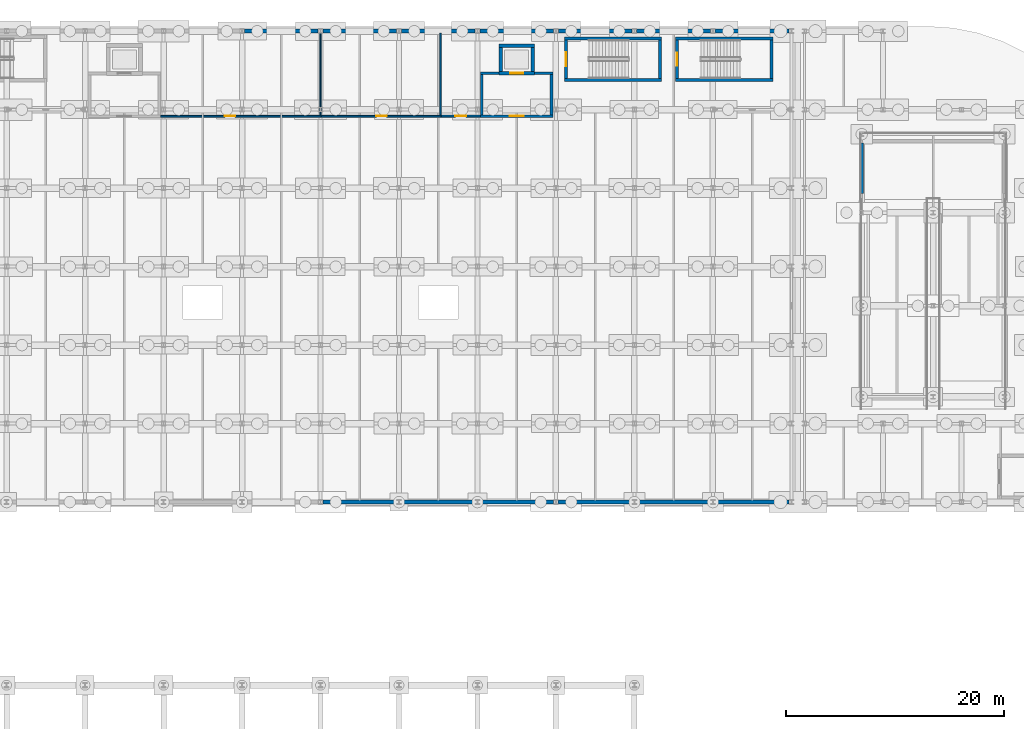
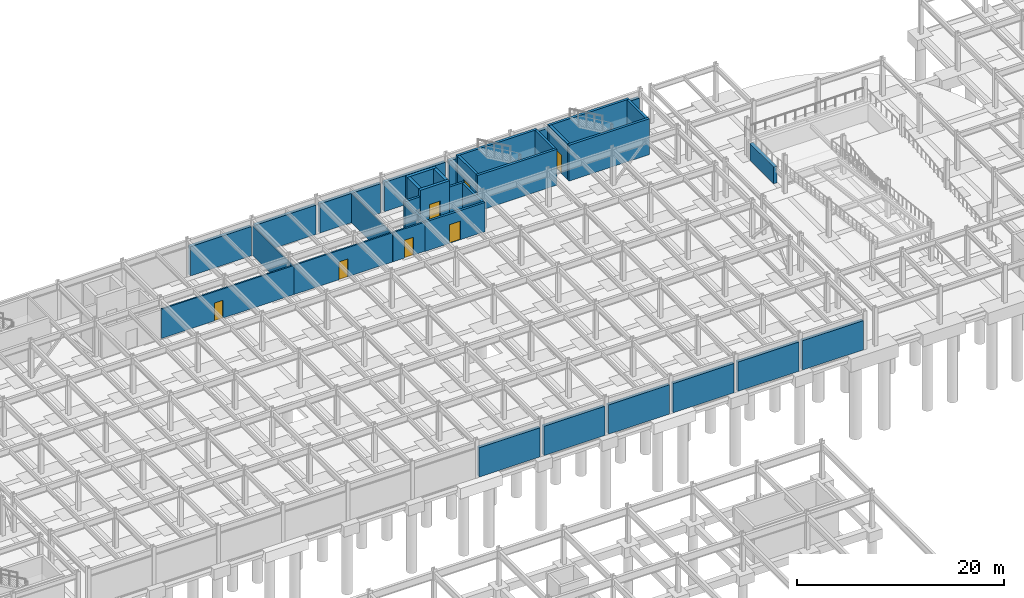
# One storey, part 44 of 54: 36 walls, 7 doors, 7 openings.
"""IFC4 building model written with IfcOpenShell, lengths in metres."""

from ifc_helpers import new_model, si_unit, direction, frame, frame_2d, origin, place, context, subcontext, project, spatial, rectangle, extrude, material, layer, layer_set, type_object, element, fill, save


model = new_model("IFC4")

# Units and contexts
model_context = context("Model", 3, precision=1e-05, world=origin(), true_north=direction((0.0, 1.0)))
body_context = subcontext(model_context, "Body", "Model", "MODEL_VIEW")
ifc_project = project(units=[si_unit("LENGTHUNIT", "METRE"), si_unit("AREAUNIT", "SQUARE_METRE"), si_unit("VOLUMEUNIT", "CUBIC_METRE"), si_unit("PLANEANGLEUNIT", "RADIAN"), si_unit("MASSUNIT", "GRAM", prefix="KILO")], contexts=[model_context])

# Site, building, storey
site_placement = place(None, origin())
site = spatial("IfcSite", under=ifc_project, at=site_placement, CompositionType="ELEMENT")
building_placement = place(site_placement, origin())
building = spatial("IfcBuilding", under=site, at=building_placement, Name="Vaelcorin Mobility Hub", CompositionType="ELEMENT")
storey_placement = place(building_placement, frame((0.0, 0.0, -4.5)))
storey = spatial("IfcBuildingStorey", under=building, at=storey_placement, Name="B1", CompositionType="ELEMENT", Elevation=-4.5)

# Walls
ifc_material_1 = material(Name="Insulated exterior precast concrete C40/50", Category="concrete")
ifc_layer_1 = layer(ifc_material_1, 0.360107421875)
ifc_layer_set_1 = layer_set([ifc_layer_1], Name="Insulated exterior precast concrete C40/50")
wall_type_1 = type_object("IfcWallType", Name="WL-B1-RET360", PredefinedType="SOLIDWALL", material=ifc_layer_set_1)
for number, where, z_axis, x_axis, name in (
    (1, (72.208984375, 120.0, 0.0), (0.0, 0.0, 1.0), (1.0, 0.0, 0.0), "B1 Retaining Wall B1-RET-V4N-06"),
    (2, (79.408935546875, 120.0, 0.0), (0.0, 0.0, 1.0), (1.0, 0.0, 0.0), "B1 Retaining Wall B1-RET-V4N-07"),
    (3, (86.19091796875, 76.800048828125, 0.0), (0.0, 0.0, 1.0), (-1.0, 0.0, 0.0), "B1 Retaining Wall B1-RET-V4S-07"),
):
    element("IfcWall", number, at=place(storey_placement, frame(where, z_axis=z_axis, x_axis=x_axis)), inside=storey, type_object=wall_type_1, Name=name, PredefinedType="SOLIDWALL", context=body_context, shape_type="SweptSolid", body=[
        extrude(rectangle(XDim=6.781982421875, YDim=0.360107421875, at=frame_2d((3.39111328125, 0.0))), origin(), (0.0, 0.0, 1.0), 3.447998046875),
    ])
for number, where, z_axis, x_axis, name in (
    (4, (86.60888671875, 120.0, 0.0), (0.0, 0.0, 1.0), (1.0, 0.0, 0.0), "B1 Retaining Wall B1-RET-V4N-08"),
    (5, (93.39111328125, 76.800048828125, 0.0), (0.0, 0.0, 1.0), (-1.0, 0.0, 0.0), "B1 Retaining Wall B1-RET-V4S-08"),
):
    element("IfcWall", number, at=place(storey_placement, frame(where, z_axis=z_axis, x_axis=x_axis)), inside=storey, type_object=wall_type_1, Name=name, PredefinedType="SOLIDWALL", context=body_context, shape_type="SweptSolid", body=[
        extrude(rectangle(XDim=6.7822265625, YDim=0.360107421875, at=frame_2d((3.39111328125, 0.0))), origin(), (0.0, 0.0, 1.0), 3.447998046875),
    ])
for number, where, z_axis, x_axis, name in (
    (6, (93.80908203125, 120.0, 0.0), (0.0, 0.0, 1.0), (1.0, 0.0, 0.0), "B1 Retaining Wall B1-RET-V4N-09"),
    (7, (100.591064453125, 76.800048828125, 0.0), (0.0, 0.0, 1.0), (-1.0, 0.0, 0.0), "B1 Retaining Wall B1-RET-V4S-09"),
    (8, (101.009033203125, 120.0, 0.0), (0.0, 0.0, 1.0), (1.0, 0.0, 0.0), "B1 Retaining Wall B1-RET-V4N-10"),
    (9, (107.791015625, 76.800048828125, 0.0), (0.0, 0.0, 1.0), (-1.0, 0.0, 0.0), "B1 Retaining Wall B1-RET-V4S-10"),
    (10, (108.208984375, 120.0, 0.0), (0.0, 0.0, 1.0), (1.0, 0.0, 0.0), "B1 Retaining Wall B1-RET-V4N-11"),
    (11, (114.990966796875, 76.800048828125, 0.0), (0.0, 0.0, 1.0), (-1.0, 0.0, 0.0), "B1 Retaining Wall B1-RET-V4S-11"),
    (12, (115.408935546875, 120.0, 0.0), (0.0, 0.0, 1.0), (1.0, 0.0, 0.0), "B1 Retaining Wall B1-RET-V4N-12"),
    (13, (122.19091796875, 76.800048828125, 0.0), (0.0, 0.0, 1.0), (-1.0, 0.0, 0.0), "B1 Retaining Wall B1-RET-V4S-12"),
):
    element("IfcWall", number, at=place(storey_placement, frame(where, z_axis=z_axis, x_axis=x_axis)), inside=storey, type_object=wall_type_1, Name=name, PredefinedType="SOLIDWALL", context=body_context, shape_type="SweptSolid", body=[
        extrude(rectangle(XDim=6.781982421875, YDim=0.360107421875, at=frame_2d((3.39111328125, 0.0))), origin(), (0.0, 0.0, 1.0), 3.447998046875),
    ])
ifc_material_2 = material(Name="Reinforced concrete f'c 45 MPa", Category="concrete")
ifc_layer_2 = layer(ifc_material_2, 0.27490234375)
ifc_layer_set_2 = layer_set([ifc_layer_2], Name="Reinforced concrete f'c 45 MPa")
wall_type_2 = type_object("IfcWallType", Name="WL-CORE-275", PredefinedType="SOLIDWALL", material=ifc_layer_set_2)
for number, where, z_axis, x_axis, name in (
    (14, (110.47509765625, 115.511962890625, 0.0), (0.0, 0.0, 1.0), (-1.0, 0.0, 0.0), "ST4 Fire Core Wall B1 South"),
    (15, (101.574951171875, 119.347900390625, 0.0), (0.0, 0.0, 1.0), (1.0, 0.0, 0.0), "ST4 Fire Core Wall B1 North"),
):
    element("IfcWall", number, at=place(storey_placement, frame(where, z_axis=z_axis, x_axis=x_axis)), inside=storey, type_object=wall_type_2, Name=name, PredefinedType="SOLIDWALL", context=body_context, shape_type="SweptSolid", body=[
        extrude(rectangle(XDim=8.900146484375, YDim=0.27490234375, at=frame_2d((4.4501953125, 0.0))), origin(), (0.0, 0.0, 1.0), 4.219970703125),
    ])

# Wall, opening, door
wall_1_placement = place(storey_placement, frame((101.7119140625, 115.64990234375, 0.0), z_axis=(0.0, 0.0, 1.0), x_axis=(0.0, 1.0, 0.0)))
wall_1 = element("IfcWall", 16, at=wall_1_placement, inside=storey, type_object=wall_type_2, Name="ST4 Fire Core Wall B1 West", PredefinedType="SOLIDWALL", context=body_context, shape_type="SweptSolid", body=[
    extrude(rectangle(XDim=3.56005859375, YDim=0.27490234375, at=frame_2d((1.780029296875, 0.0))), origin(), (0.0, 0.0, 1.0), 4.219970703125),
])
opening_1_placement = place(wall_1_placement, frame((1.155029296875, 0.0, 0.0)))
opening_1 = element("IfcOpeningElement", 17, at=opening_1_placement, cuts=wall_1, Name="Opening SD02", PredefinedType="OPENING", context=body_context, shape_type="SweptSolid", body=[
    extrude(rectangle(XDim=1.25, YDim=2.199951171875, at=frame_2d((0.625, 1.10009765625))), frame((0.0, 0.1474609375, 0.0), z_axis=(0.0, -1.0, 0.0), x_axis=(1.0, 0.0, 0.0)), (0.0, 0.0, 1.0), 0.294921875),
])
ifc_material_3 = material(Name="Hollow-metal insulated steel fire door", Category="steel")
door_type_1 = type_object("IfcDoorType", Name="DR-STAIR-FF", OperationType="NOTDEFINED", PredefinedType="DOOR", material=ifc_material_3)
door_1_placement = place(opening_1_placement, origin())
door_1 = element("IfcDoor", 18, at=door_1_placement, inside=storey, type_object=door_type_1, Name="ST4 Protected Stair Door B1", OperationType="SINGLE_SWING_LEFT", OverallHeight=2.199951171875, OverallWidth=1.25, PredefinedType="DOOR", context=body_context, shape_type="SweptSolid", body=[
    extrude(rectangle(XDim=1.25, YDim=2.199951171875, at=frame_2d((0.625, 1.10009765625))), frame((0.0, 0.02490234375, 0.0), z_axis=(0.0, -1.0, 0.0), x_axis=(1.0, 0.0, 0.0)), (0.0, 0.0, 1.0), 0.050048828125),
])
fill(opening_1, door_1)

# Walls
wall_2_placement = place(storey_placement, frame((110.337890625, 119.2099609375, 0.0), z_axis=(0.0, 0.0, 1.0), x_axis=(0.0, -1.0, 0.0)))
element("IfcWall", 19, at=wall_2_placement, inside=storey, type_object=wall_type_2, Name="ST4 Fire Core Wall B1 East", PredefinedType="SOLIDWALL", context=body_context, shape_type="SweptSolid", body=[
    extrude(rectangle(XDim=3.56005859375, YDim=0.27490234375, at=frame_2d((1.780029296875, 0.0))), origin(), (0.0, 0.0, 1.0), 4.219970703125),
])
for number, where, z_axis, x_axis, name in (
    (20, (120.72509765625, 115.511962890625, 0.0), (0.0, 0.0, 1.0), (-1.0, 0.0, 0.0), "ST9 Fire Core Wall B1 South"),
    (21, (111.77490234375, 119.347900390625, 0.0), (0.0, 0.0, 1.0), (1.0, 0.0, 0.0), "ST9 Fire Core Wall B1 North"),
):
    element("IfcWall", number, at=place(storey_placement, frame(where, z_axis=z_axis, x_axis=x_axis)), inside=storey, type_object=wall_type_2, Name=name, PredefinedType="SOLIDWALL", context=body_context, shape_type="SweptSolid", body=[
        extrude(rectangle(XDim=8.9501953125, YDim=0.27490234375, at=frame_2d((4.47509765625, 0.0))), origin(), (0.0, 0.0, 1.0), 4.219970703125),
    ])

# Wall, opening, door
wall_3_placement = place(storey_placement, frame((111.912109375, 115.64990234375, 0.0), z_axis=(0.0, 0.0, 1.0), x_axis=(0.0, 1.0, 0.0)))
wall_3 = element("IfcWall", 22, at=wall_3_placement, inside=storey, type_object=wall_type_2, Name="ST9 Fire Core Wall B1 West", PredefinedType="SOLIDWALL", context=body_context, shape_type="SweptSolid", body=[
    extrude(rectangle(XDim=3.56005859375, YDim=0.27490234375, at=frame_2d((1.780029296875, 0.0))), origin(), (0.0, 0.0, 1.0), 4.219970703125),
])
opening_2_placement = place(wall_3_placement, frame((1.179931640625, 0.0, 0.0)))
opening_2 = element("IfcOpeningElement", 23, at=opening_2_placement, cuts=wall_3, Name="Opening SD01", PredefinedType="OPENING", context=body_context, shape_type="SweptSolid", body=[
    extrude(rectangle(XDim=1.199951171875, YDim=2.199951171875, at=frame_2d((0.60009765625, 1.10009765625))), frame((0.0, 0.1474609375, 0.0), z_axis=(0.0, -1.0, 0.0), x_axis=(1.0, 0.0, 0.0)), (0.0, 0.0, 1.0), 0.294921875),
])
door_type_2 = type_object("IfcDoorType", Name="DR-STAIR-90", OperationType="NOTDEFINED", PredefinedType="DOOR", material=ifc_material_3)
door_2_placement = place(opening_2_placement, origin())
door_2 = element("IfcDoor", 24, at=door_2_placement, inside=storey, type_object=door_type_2, Name="ST9 Protected Stair Door B1", OperationType="SINGLE_SWING_LEFT", OverallHeight=2.199951171875, OverallWidth=1.199951171875, PredefinedType="DOOR", context=body_context, shape_type="SweptSolid", body=[
    extrude(rectangle(XDim=1.199951171875, YDim=2.199951171875, at=frame_2d((0.60009765625, 1.10009765625))), frame((0.0, 0.02490234375, 0.0), z_axis=(0.0, -1.0, 0.0), x_axis=(1.0, 0.0, 0.0)), (0.0, 0.0, 1.0), 0.050048828125),
])
fill(opening_2, door_2)

# Walls
wall_4_placement = place(storey_placement, frame((120.587890625, 119.2099609375, 0.0), z_axis=(0.0, 0.0, 1.0), x_axis=(0.0, -1.0, 0.0)))
element("IfcWall", 25, at=wall_4_placement, inside=storey, type_object=wall_type_2, Name="ST9 Fire Core Wall B1 East", PredefinedType="SOLIDWALL", context=body_context, shape_type="SweptSolid", body=[
    extrude(rectangle(XDim=3.56005859375, YDim=0.27490234375, at=frame_2d((1.780029296875, 0.0))), origin(), (0.0, 0.0, 1.0), 4.219970703125),
])
ifc_material_4 = material(Name="Fire-rated acoustic steel-stud gypsum board", Category="steel")
ifc_layer_3 = layer(ifc_material_4, 0.1298828125)
ifc_layer_set_3 = layer_set([ifc_layer_3], Name="Fire-rated acoustic steel-stud gypsum board")
wall_type_3 = type_object("IfcWallType", Name="WL-PART-130", PredefinedType="PARTITIONING", material=ifc_layer_set_3)
wall_5_placement = place(storey_placement, frame((79.199951171875, 119.818115234375, 0.0), z_axis=(0.0, 0.0, 1.0), x_axis=(0.0, -1.0, 0.0)))
element("IfcWall", 26, at=wall_5_placement, inside=storey, type_object=wall_type_3, Name="Primary Traction Substation B1 Partition East", PredefinedType="PARTITIONING", context=body_context, shape_type="SweptSolid", body=[
    extrude(rectangle(XDim=7.531005859375, YDim=0.1298828125, at=frame_2d((3.765625, 0.0))), origin(), (0.0, 0.0, 1.0), 3.443115234375),
])
ifc_layer_4 = layer(ifc_material_4, 0.135009765625)
ifc_layer_set_4 = layer_set([ifc_layer_4], Name="Fire-rated acoustic steel-stud gypsum board")
wall_type_4 = type_object("IfcWallType", Name="WL-PART-135", PredefinedType="PARTITIONING", material=ifc_layer_set_4)
wall_6_placement = place(storey_placement, frame((90.199951171875, 119.818115234375, 0.0), z_axis=(0.0, 0.0, 1.0), x_axis=(0.0, -1.0, 0.0)))
element("IfcWall", 27, at=wall_6_placement, inside=storey, type_object=wall_type_4, Name="Fire Pump and Sprinkler Room Partition East", PredefinedType="PARTITIONING", context=body_context, shape_type="SweptSolid", body=[
    extrude(rectangle(XDim=7.527099609375, YDim=0.135009765625, at=frame_2d((3.763671875, 0.0))), origin(), (0.0, 0.0, 1.0), 3.443115234375),
])

# Wall, opening, door
ifc_layer_5 = layer(ifc_material_4, 0.1650390625)
ifc_layer_set_5 = layer_set([ifc_layer_5], Name="Fire-rated acoustic steel-stud gypsum board")
wall_type_5 = type_object("IfcWallType", Name="WL-PART-165", PredefinedType="PARTITIONING", material=ifc_layer_set_5)
wall_7_placement = place(storey_placement, frame((79.280029296875, 112.199951171875, 0.0), z_axis=(0.0, 0.0, 1.0), x_axis=(-1.0, 0.0, 0.0)))
wall_7 = element("IfcWall", 28, at=wall_7_placement, inside=storey, type_object=wall_type_5, Name="Primary Traction Substation B1 Partition South", PredefinedType="PARTITIONING", context=body_context, shape_type="SweptSolid", body=[
    extrude(rectangle(XDim=14.7529296875, YDim=0.1650390625, at=frame_2d((7.37646484375, 0.0))), origin(), (0.0, 0.0, 1.0), 3.443115234375),
])
opening_3_placement = place(wall_7_placement, frame((7.906005859375, 0.0, 0.0)))
opening_3 = element("IfcOpeningElement", 29, at=opening_3_placement, cuts=wall_7, Name="Opening ID02", PredefinedType="OPENING", context=body_context, shape_type="SweptSolid", body=[
    extrude(rectangle(XDim=0.93994140625, YDim=2.10009765625, at=frame_2d((0.469970703125, 1.050048828125))), frame((0.0, 0.092529296875, 0.0), z_axis=(0.0, -1.0, 0.0), x_axis=(1.0, 0.0, 0.0)), (0.0, 0.0, 1.0), 0.18505859375),
])
ifc_material_5 = material(Name="Solid-core hardwood fire door assembly", Category="wood")
door_type_3 = type_object("IfcDoorType", Name="DR-INT-02", OperationType="NOTDEFINED", PredefinedType="DOOR", material=ifc_material_5)
door_3_placement = place(opening_3_placement, origin())
door_3 = element("IfcDoor", 30, at=door_3_placement, inside=storey, type_object=door_type_3, Name="Primary Traction Substation B1 Door", OperationType="SINGLE_SWING_RIGHT", OverallHeight=2.10009765625, OverallWidth=0.93994140625, PredefinedType="DOOR", context=body_context, shape_type="SweptSolid", body=[
    extrude(rectangle(XDim=0.93994140625, YDim=2.10009765625, at=frame_2d((0.469970703125, 1.050048828125))), frame((0.0, 0.02490234375, 0.0), z_axis=(0.0, -1.0, 0.0), x_axis=(1.0, 0.0, 0.0)), (0.0, 0.0, 1.0), 0.050048828125),
])
fill(opening_3, door_3)

ifc_layer_6 = layer(ifc_material_4, 0.169921875)
ifc_layer_set_6 = layer_set([ifc_layer_6], Name="Fire-rated acoustic steel-stud gypsum board")
wall_type_6 = type_object("IfcWallType", Name="WL-PART-170", PredefinedType="PARTITIONING", material=ifc_layer_set_6)
wall_8_placement = place(storey_placement, frame((90.280029296875, 112.199951171875, 0.0), z_axis=(0.0, 0.0, 1.0), x_axis=(-1.0, 0.0, 0.0)))
wall_8 = element("IfcWall", 31, at=wall_8_placement, inside=storey, type_object=wall_type_6, Name="Fire Pump and Sprinkler Room Partition South", PredefinedType="PARTITIONING", context=body_context, shape_type="SweptSolid", body=[
    extrude(rectangle(XDim=10.998046875, YDim=0.169921875, at=frame_2d((5.4990234375, 0.0))), origin(), (0.0, 0.0, 1.0), 3.443115234375),
])
opening_4_placement = place(wall_8_placement, frame((5.009033203125, 0.0, 0.0)))
opening_4 = element("IfcOpeningElement", 32, at=opening_4_placement, cuts=wall_8, Name="Opening ID03", PredefinedType="OPENING", context=body_context, shape_type="SweptSolid", body=[
    extrude(rectangle(XDim=0.97998046875, YDim=2.10009765625, at=frame_2d((0.489990234375, 1.050048828125))), frame((0.0, 0.094970703125, 0.0), z_axis=(0.0, -1.0, 0.0), x_axis=(1.0, 0.0, 0.0)), (0.0, 0.0, 1.0), 0.18994140625),
])
door_type_4 = type_object("IfcDoorType", Name="DR-INT-03", OperationType="NOTDEFINED", PredefinedType="DOOR", material=ifc_material_5)
door_4_placement = place(opening_4_placement, origin())
door_4 = element("IfcDoor", 33, at=door_4_placement, inside=storey, type_object=door_type_4, Name="Fire Pump and Sprinkler Room Door", OperationType="SINGLE_SWING_LEFT", OverallHeight=2.10009765625, OverallWidth=0.97998046875, PredefinedType="DOOR", context=body_context, shape_type="SweptSolid", body=[
    extrude(rectangle(XDim=0.97998046875, YDim=2.10009765625, at=frame_2d((0.489990234375, 1.050048828125))), frame((0.0, 0.02490234375, 0.0), z_axis=(0.0, -1.0, 0.0), x_axis=(1.0, 0.0, 0.0)), (0.0, 0.0, 1.0), 0.050048828125),
])
fill(opening_4, door_4)

ifc_layer_7 = layer(ifc_material_4, 0.177978515625)
ifc_layer_set_7 = layer_set([ifc_layer_7], Name="Fire-rated acoustic steel-stud gypsum board")
wall_type_7 = type_object("IfcWallType", Name="WL-PART-178", PredefinedType="PARTITIONING", material=ifc_layer_set_7)
wall_9_placement = place(storey_placement, frame((93.873046875, 112.199951171875, 0.0), z_axis=(0.0, 0.0, 1.0), x_axis=(-1.0, 0.0, 0.0)))
wall_9 = element("IfcWall", 34, at=wall_9_placement, inside=storey, type_object=wall_type_7, Name="Accessible WC B1 Partition South", PredefinedType="PARTITIONING", context=body_context, shape_type="SweptSolid", body=[
    extrude(rectangle(XDim=3.591064453125, YDim=0.177978515625, at=frame_2d((1.79541015625, 0.0))), origin(), (0.0, 0.0, 1.0), 3.443115234375),
])
opening_5_placement = place(wall_9_placement, frame((1.285888671875, 0.0, 0.0)))
opening_5 = element("IfcOpeningElement", 35, at=opening_5_placement, cuts=wall_9, Name="Opening ID04", PredefinedType="OPENING", context=body_context, shape_type="SweptSolid", body=[
    extrude(rectangle(XDim=1.02001953125, YDim=2.10009765625, at=frame_2d((0.510009765625, 1.050048828125))), frame((0.0, 0.098876953125, 0.0), z_axis=(0.0, -1.0, 0.0), x_axis=(1.0, 0.0, 0.0)), (0.0, 0.0, 1.0), 0.197998046875),
])
door_type_5 = type_object("IfcDoorType", Name="DR-INT-04", OperationType="NOTDEFINED", PredefinedType="DOOR", material=ifc_material_5)
door_5_placement = place(opening_5_placement, origin())
door_5 = element("IfcDoor", 36, at=door_5_placement, inside=storey, type_object=door_type_5, Name="Accessible WC B1 Door", OperationType="SINGLE_SWING_RIGHT", OverallHeight=2.10009765625, OverallWidth=1.02001953125, PredefinedType="DOOR", context=body_context, shape_type="SweptSolid", body=[
    extrude(rectangle(XDim=1.02001953125, YDim=2.10009765625, at=frame_2d((0.510009765625, 1.050048828125))), frame((0.0, 0.02490234375, 0.0), z_axis=(0.0, -1.0, 0.0), x_axis=(1.0, 0.0, 0.0)), (0.0, 0.0, 1.0), 0.050048828125),
])
fill(opening_5, door_5)

ifc_material_6 = material(Name="Reinforced acoustic concrete masonry C30/37", Category="masonry")
ifc_layer_8 = layer(ifc_material_6, 0.25)
ifc_layer_set_8 = layer_set([ifc_layer_8], Name="Reinforced acoustic concrete masonry C30/37")
wall_type_8 = type_object("IfcWallType", Name="WL-PART-250", PredefinedType="PARTITIONING", material=ifc_layer_set_8)
wall_10_placement = place(storey_placement, frame((100.52490234375, 112.199951171875, 0.0), z_axis=(0.0, 0.0, 1.0), x_axis=(-1.0, 0.0, 0.0)))
wall_10 = element("IfcWall", 37, at=wall_10_placement, inside=storey, type_object=wall_type_8, Name="Firefighting Lobby East B1 Partition South", PredefinedType="PARTITIONING", context=body_context, shape_type="SweptSolid", body=[
    extrude(rectangle(XDim=6.64990234375, YDim=0.25, at=frame_2d((3.324951171875, 0.0))), origin(), (0.0, 0.0, 1.0), 3.443115234375),
])
opening_6_placement = place(wall_10_placement, frame((2.699951171875, 0.0, 0.0)))
opening_6 = element("IfcOpeningElement", 38, at=opening_6_placement, cuts=wall_10, Name="Opening SD02", PredefinedType="OPENING", context=body_context, shape_type="SweptSolid", body=[
    extrude(rectangle(XDim=1.25, YDim=2.199951171875, at=frame_2d((0.625, 1.10009765625))), frame((0.0, 0.135009765625, 0.0), z_axis=(0.0, -1.0, 0.0), x_axis=(1.0, 0.0, 0.0)), (0.0, 0.0, 1.0), 0.27001953125),
])
door_6_placement = place(opening_6_placement, origin())
door_6 = element("IfcDoor", 39, at=door_6_placement, inside=storey, type_object=door_type_1, Name="Firefighting Lobby East B1 Door", OperationType="SINGLE_SWING_RIGHT", OverallHeight=2.199951171875, OverallWidth=1.25, PredefinedType="DOOR", context=body_context, shape_type="SweptSolid", body=[
    extrude(rectangle(XDim=1.25, YDim=2.199951171875, at=frame_2d((0.625, 1.10009765625))), frame((0.0, 0.02490234375, 0.0), z_axis=(0.0, -1.0, 0.0), x_axis=(1.0, 0.0, 0.0)), (0.0, 0.0, 1.0), 0.050048828125),
])
fill(opening_6, door_6)

# Walls
for number, where, z_axis, x_axis, name in (
    (40, (93.875, 116.137939453125, 0.0), (0.0, 0.0, 1.0), (1.0, 0.0, 0.0), "Firefighting Lobby East B1 Return Wall NW"),
    (41, (98.826904296875, 116.137939453125, 0.0), (0.0, 0.0, 1.0), (1.0, 0.0, 0.0), "Firefighting Lobby East B1 Return Wall NE"),
):
    element("IfcWall", number, at=place(storey_placement, frame(where, z_axis=z_axis, x_axis=x_axis)), inside=storey, type_object=wall_type_8, Name=name, PredefinedType="PARTITIONING", context=body_context, shape_type="SweptSolid", body=[
        extrude(rectangle(XDim=1.697998046875, YDim=0.25, at=frame_2d((0.84912109375, 0.0))), origin(), (0.0, 0.0, 1.0), 3.443115234375),
    ])
for number, where, z_axis, x_axis, name in (
    (42, (94.0, 112.326904296875, 0.0), (0.0, 0.0, 1.0), (0.0, 1.0, 0.0), "Firefighting Lobby East B1 Partition West"),
    (43, (100.39990234375, 116.010986328125, 0.0), (0.0, 0.0, 1.0), (0.0, -1.0, 0.0), "Firefighting Lobby East B1 Partition East"),
):
    element("IfcWall", number, at=place(storey_placement, frame(where, z_axis=z_axis, x_axis=x_axis)), inside=storey, type_object=wall_type_8, Name=name, PredefinedType="PARTITIONING", context=body_context, shape_type="SweptSolid", body=[
        extrude(rectangle(XDim=3.68408203125, YDim=0.25, at=frame_2d((1.842041015625, 0.0))), origin(), (0.0, 0.0, 1.0), 3.443115234375),
    ])
ifc_material_7 = material(Name="Concrete f'c 40 MPa", Category="concrete")
ifc_layer_9 = layer(ifc_material_7, 0.35009765625)
ifc_layer_set_9 = layer_set([ifc_layer_9], Name="Concrete f'c 40 MPa")
wall_type_9 = type_object("IfcWallType", Name="WL-RAMP-DRUM350", PredefinedType="SHEAR", material=ifc_layer_set_9)
wall_11_placement = place(storey_placement, frame((128.830078125, 105.110107421875, 0.0), z_axis=(0.0, 0.0, 1.0), x_axis=(0.0, 1.0, 0.0)))
element("IfcWall", 44, at=wall_11_placement, inside=storey, type_object=wall_type_9, Name="V2E Ramp Pit Shear Wall B1-W", PredefinedType="SHEAR", context=body_context, shape_type="SweptSolid", body=[
    extrude(rectangle(XDim=4.614990234375, YDim=0.35009765625, at=frame_2d((2.3076171875, 0.0))), origin(), (0.0, 0.0, 1.0), 1.969970703125),
])

# Wall, opening, door
ifc_layer_10 = layer(ifc_material_2, 0.324951171875)
ifc_layer_set_10 = layer_set([ifc_layer_10], Name="Reinforced concrete f'c 45 MPa")
wall_type_10 = type_object("IfcWallType", Name="WL-SHEAR-325", PredefinedType="SHEAR", material=ifc_layer_set_10)
wall_12_placement = place(storey_placement, frame((98.824951171875, 116.137939453125, 0.0), z_axis=(0.0, 0.0, 1.0), x_axis=(-1.0, 0.0, 0.0)))
wall_12 = element("IfcWall", 45, at=wall_12_placement, inside=storey, type_object=wall_type_10, Name="LF2 Lift Shaft Shear Wall B1 South", PredefinedType="SHEAR", context=body_context, shape_type="SweptSolid", body=[
    extrude(rectangle(XDim=3.25, YDim=0.324951171875, at=frame_2d((1.625, 0.0))), origin(), (0.0, 0.0, 1.0), 4.219970703125),
])
opening_7_placement = place(wall_12_placement, frame((1.02490234375, 0.0, 0.0)))
opening_7 = element("IfcOpeningElement", 46, at=opening_7_placement, cuts=wall_12, Name="Opening LD1", PredefinedType="OPENING", context=body_context, shape_type="SweptSolid", body=[
    extrude(rectangle(XDim=1.199951171875, YDim=2.199951171875, at=frame_2d((0.60009765625, 1.10009765625))), frame((0.0, 0.17236328125, 0.0), z_axis=(0.0, -1.0, 0.0), x_axis=(1.0, 0.0, 0.0)), (0.0, 0.0, 1.0), 0.344970703125),
])
ifc_material_8 = material(Name="Brushed stainless steel 316L", Category="steel")
door_type_6 = type_object("IfcDoorType", Name="DR-LIFT-LD1", OperationType="NOTDEFINED", PredefinedType="DOOR", material=ifc_material_8)
door_7_placement = place(opening_7_placement, origin())
door_7 = element("IfcDoor", 47, at=door_7_placement, inside=storey, type_object=door_type_6, Name="LF2 Lift Landing Sliding Door B1", OperationType="DOUBLE_DOOR_SLIDING", OverallHeight=2.199951171875, OverallWidth=1.199951171875, PredefinedType="DOOR", context=body_context, shape_type="SweptSolid", body=[
    extrude(rectangle(XDim=1.199951171875, YDim=2.199951171875, at=frame_2d((0.60009765625, 1.10009765625))), frame((0.0, 0.02490234375, 0.0), z_axis=(0.0, -1.0, 0.0), x_axis=(1.0, 0.0, 0.0)), (0.0, 0.0, 1.0), 0.050048828125),
])
fill(opening_7, door_7)

# Walls
wall_13_placement = place(storey_placement, frame((95.574951171875, 118.662109375, 0.0), z_axis=(0.0, 0.0, 1.0), x_axis=(1.0, 0.0, 0.0)))
element("IfcWall", 48, at=wall_13_placement, inside=storey, type_object=wall_type_10, Name="LF2 Lift Shaft Shear Wall B1 North", PredefinedType="SHEAR", context=body_context, shape_type="SweptSolid", body=[
    extrude(rectangle(XDim=3.25, YDim=0.324951171875, at=frame_2d((1.625, 0.0))), origin(), (0.0, 0.0, 1.0), 4.219970703125),
])
for number, where, z_axis, x_axis, name in (
    (49, (95.738037109375, 116.300048828125, 0.0), (0.0, 0.0, 1.0), (0.0, 1.0, 0.0), "LF2 Lift Shaft Shear Wall B1 West"),
    (50, (98.662109375, 118.5, 0.0), (0.0, 0.0, 1.0), (0.0, -1.0, 0.0), "LF2 Lift Shaft Shear Wall B1 East"),
):
    element("IfcWall", number, at=place(storey_placement, frame(where, z_axis=z_axis, x_axis=x_axis)), inside=storey, type_object=wall_type_10, Name=name, PredefinedType="SHEAR", context=body_context, shape_type="SweptSolid", body=[
        extrude(rectangle(XDim=2.199951171875, YDim=0.324951171875, at=frame_2d((1.10009765625, 0.0))), origin(), (0.0, 0.0, 1.0), 4.219970703125),
    ])

save(model, "model.ifc")
